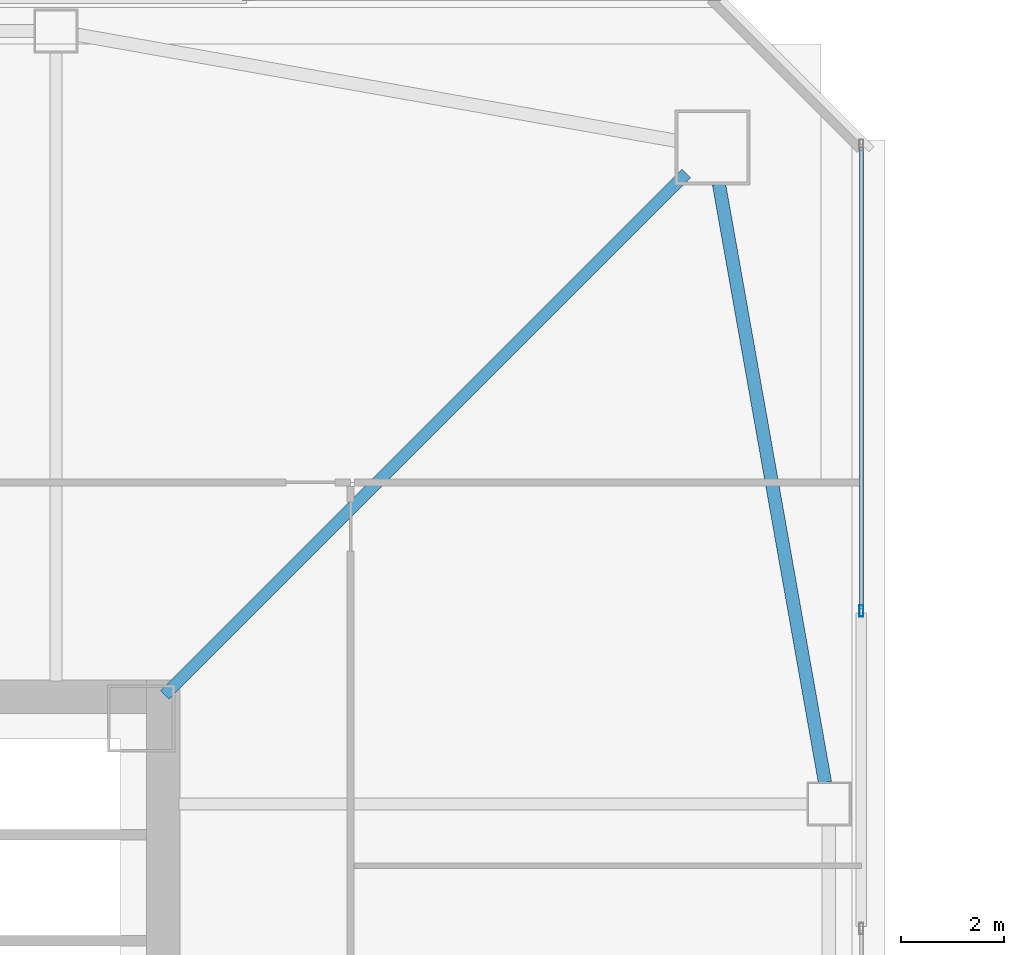
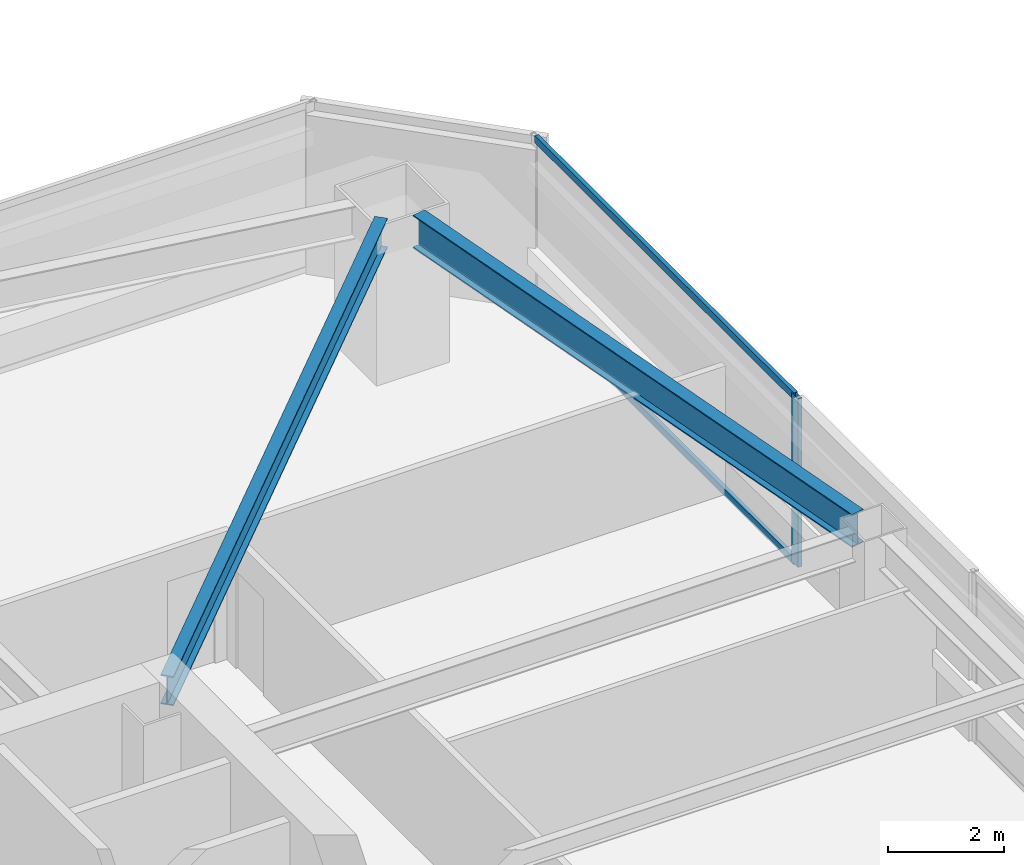
# One storey, part 14 of 44: 3 members, 2 beams, 1 element without a shape of its own.
"""IFC4 building model written with IfcOpenShell, lengths in metres."""

from ifc_helpers import new_model, si_unit, direction, frame, origin, origin_2d, place, context, subcontext, project, spatial, hollow_rectangle, i_section, extrude, material, material_profile, profile_set, type_object, element, aggregate, save


model = new_model("IFC4")

# Units and contexts
model_context = context("Model", 3, precision=1e-05, world=origin(), true_north=direction((0.0, 1.0)))
body_context = subcontext(model_context, "Body", "Model", "MODEL_VIEW")
ifc_project = project(units=[si_unit("LENGTHUNIT", "METRE"), si_unit("AREAUNIT", "SQUARE_METRE"), si_unit("VOLUMEUNIT", "CUBIC_METRE"), si_unit("PLANEANGLEUNIT", "RADIAN"), si_unit("MASSUNIT", "GRAM", prefix="KILO")], contexts=[model_context])

# Site, building, storey
site_placement = place(None, origin())
site = spatial("IfcSite", under=ifc_project, at=site_placement, CompositionType="ELEMENT")
building_placement = place(site_placement, origin())
building = spatial("IfcBuilding", under=site, at=building_placement, Name="Tashvorn Skyway Center", CompositionType="ELEMENT")
storey_placement = place(building_placement, frame((0.0, 0.0, 92.050048828125)))
storey = spatial("IfcBuildingStorey", under=building, at=storey_placement, Name="L24", CompositionType="ELEMENT", Elevation=92.050048828125)

# Beams
ifc_material_1 = material(Name="Steel ASTM A992 Grade 50", Category="steel")
ifc_material_profile_1 = material_profile(ifc_material_1, i_section(OverallWidth=0.22998046875, OverallDepth=0.616943359375, WebThickness=0.01318359375, FlangeThickness=0.022216796875, at=origin_2d()), Name="W24X94")
ifc_profile_set_1 = profile_set([ifc_material_profile_1], Name="Steel ASTM A992 Grade 50")
beam_type_1 = type_object("IfcBeamType", Name="BM-BEAM-W24X94", PredefinedType="BEAM", material=ifc_profile_set_1)
beam_1_placement = place(storey_placement, frame((59.5908203125, 49.5908203125, 3.04150390625), z_axis=(-0.707106781187, -0.707106781187, 0.0), x_axis=(0.707106781187, -0.707106781187, 0.0)))
element("IfcBeam", 1, at=beam_1_placement, inside=storey, type_object=beam_type_1, Name="Tower 1 L24 Primary Floor Girder MC-NE", PredefinedType="BEAM", context=body_context, shape_type="SweptSolid", body=[
    extrude(i_section(OverallWidth=0.22998046875, OverallDepth=0.616943359375, WebThickness=0.01318359375, FlangeThickness=0.022216796875, at=origin_2d()), origin(), (0.0, 0.0, 1.0), 14.261962890625),
])
ifc_material_profile_2 = material_profile(ifc_material_1, i_section(OverallWidth=0.256103515625, OverallDepth=0.693115234375, WebThickness=0.014404296875, FlangeThickness=0.023681640625, at=origin_2d()), Name="W27X114")
ifc_profile_set_2 = profile_set([ifc_material_profile_2], Name="Steel ASTM A992 Grade 50")
beam_type_2 = type_object("IfcBeamType", Name="BM-SPANDREL-W27X114", PredefinedType="SPANDREL", material=ifc_profile_set_2)
beam_2_placement = place(storey_placement, frame((62.276611328125, 37.8134765625, 3.00341796875), z_axis=(-0.174437966698, 0.98466816531, 0.0), x_axis=(-0.98466816531, -0.174437966698, 0.0)))
element("IfcBeam", 2, at=beam_2_placement, inside=storey, type_object=beam_type_2, Name="Tower 1 L24 Spandrel Beam 06", PredefinedType="SPANDREL", context=body_context, shape_type="SweptSolid", body=[
    extrude(i_section(OverallWidth=0.256103515625, OverallDepth=0.693115234375, WebThickness=0.014404296875, FlangeThickness=0.023681640625, at=origin_2d()), origin(), (0.0, 0.0, 1.0), 11.7578125),
])

# Curtain wall, members
ifc_material_2 = material(Name="Thermally broken bronze-anodized aluminium 6063-T6", Category="aluminium")
curtain_wall_type = type_object("IfcCurtainWallType", Name="CW-CW-Z2", PredefinedType="NOTDEFINED", material=ifc_material_2)
curtain_wall_placement = place(storey_placement, origin())
curtain_wall = element("IfcCurtainWall", 3, at=curtain_wall_placement, inside=storey, type_object=curtain_wall_type, Name="Tower 1 L24 East Unitised Curtain Wall Glazing Group 1", PredefinedType="NOTDEFINED")
ifc_material_profile_3 = material_profile(ifc_material_2, hollow_rectangle(XDim=0.080078125, YDim=0.219970703125, WallThickness=0.0048828125, at=origin_2d()), Name="ALU-MULL-80x220")
ifc_profile_set_3 = profile_set([ifc_material_profile_3], Name="Thermally broken bronze-anodized aluminium 6063-T6")
member_type_1 = type_object("IfcMemberType", Name="CWM-CW-Z2", PredefinedType="MULLION", material=ifc_profile_set_3)
member_1_placement = place(storey_placement, frame((62.97998046875, 41.1298828125, 0.0), z_axis=(0.0, 0.0, 1.0), x_axis=(1.0, 0.0, 0.0)))
member_1 = element("IfcMember", 4, at=member_1_placement, type_object=member_type_1, Name="CW-Z2 mullion 2", PredefinedType="MULLION", context=body_context, shape_type="SweptSolid", body=[
    extrude(hollow_rectangle(XDim=0.080078125, YDim=0.219970703125, WallThickness=0.0048828125, at=origin_2d()), origin(), (0.0, 0.0, 1.0), 3.550048828125),
])
ifc_material_profile_4 = material_profile(ifc_material_2, hollow_rectangle(XDim=0.080078125, YDim=0.14990234375, WallThickness=0.00439453125, at=origin_2d()), Name="ALU-TRAN-80x150")
ifc_profile_set_4 = profile_set([ifc_material_profile_4], Name="Thermally broken bronze-anodized aluminium 6063-T6")
member_type_2 = type_object("IfcMemberType", Name="CWT-CW-Z2", PredefinedType="USERDEFINED", material=ifc_profile_set_4)
member_2_placement = place(storey_placement, frame((62.97998046875, 50.10009765625, 0.0400390625), z_axis=(0.0, -1.0, 0.0), x_axis=(1.0, 0.0, 0.0)))
member_2 = element("IfcMember", 5, at=member_2_placement, type_object=member_type_2, Name="CW-Z2 transom 1.1", ObjectType="TRANSOM", PredefinedType="USERDEFINED", context=body_context, shape_type="SweptSolid", body=[
    extrude(hollow_rectangle(XDim=0.080078125, YDim=0.14990234375, WallThickness=0.00439453125, at=origin_2d()), origin(), (0.0, 0.0, 1.0), 8.93017578125),
])
member_3_placement = place(storey_placement, frame((62.97998046875, 50.10009765625, 3.510009765625), z_axis=(0.0, -1.0, 0.0), x_axis=(1.0, 0.0, 0.0)))
member_3 = element("IfcMember", 6, at=member_3_placement, type_object=member_type_2, Name="CW-Z2 transom 1.2", ObjectType="TRANSOM", PredefinedType="USERDEFINED", context=body_context, shape_type="SweptSolid", body=[
    extrude(hollow_rectangle(XDim=0.080078125, YDim=0.14990234375, WallThickness=0.00439453125, at=origin_2d()), origin(), (0.0, 0.0, 1.0), 8.93017578125),
])
aggregate(curtain_wall, [member_1, member_2, member_3])

save(model, "model.ifc")
